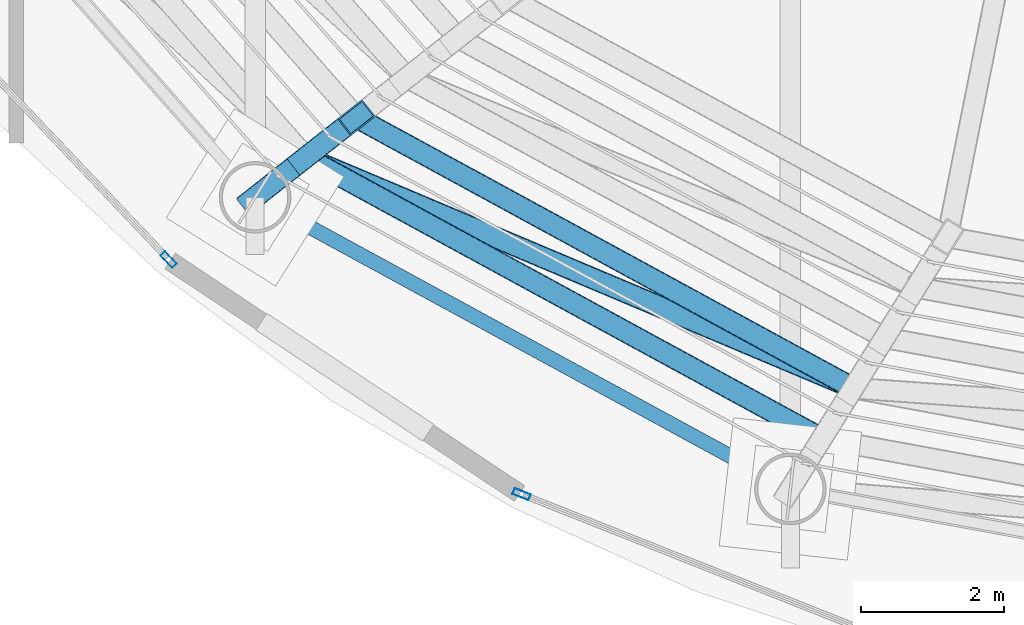
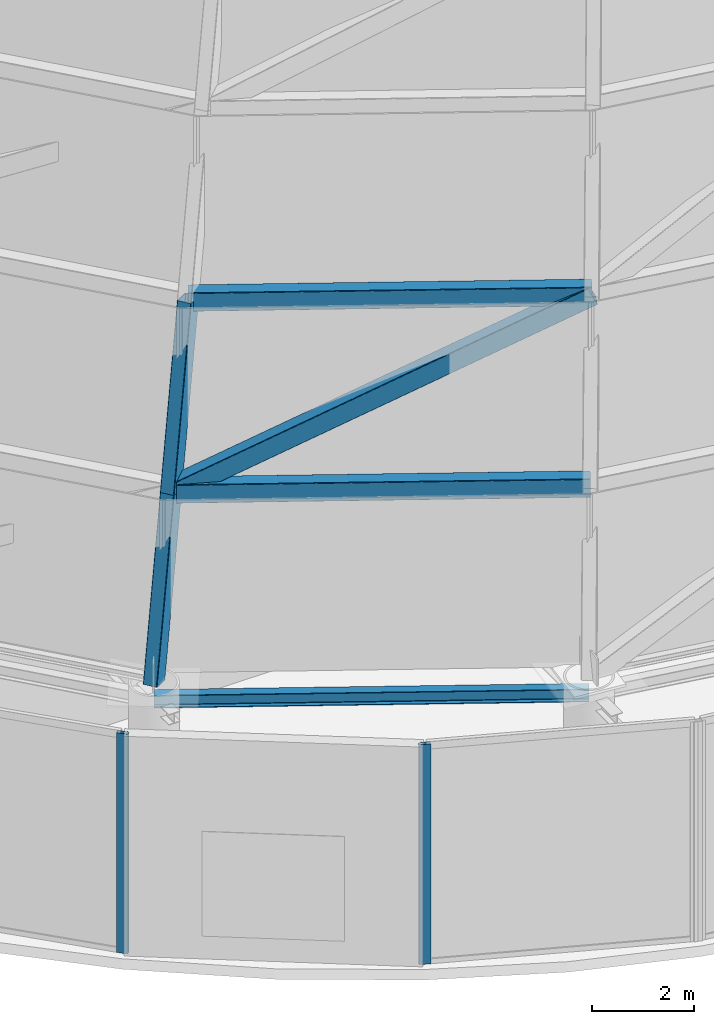
# One storey, part 3 of 40: 7 members, 1 beam, 2 elements without a shape of their own.
"""IFC4 building model written with IfcOpenShell, lengths in metres."""

from ifc_helpers import new_model, si_unit, direction, frame, origin, origin_2d, place, context, subcontext, project, spatial, hollow_rectangle, i_section, extrude, material, layer, layer_set, material_profile, profile_set, type_object, element, aggregate, save


model = new_model("IFC4")

# Units and contexts
model_context = context("Model", 3, precision=1e-05, world=origin(), true_north=direction((0.0, 1.0)))
body_context = subcontext(model_context, "Body", "Model", "MODEL_VIEW")
ifc_project = project(units=[si_unit("LENGTHUNIT", "METRE"), si_unit("AREAUNIT", "SQUARE_METRE"), si_unit("VOLUMEUNIT", "CUBIC_METRE"), si_unit("PLANEANGLEUNIT", "RADIAN"), si_unit("MASSUNIT", "GRAM", prefix="KILO")], contexts=[model_context])

# Site, building, storey
site_placement = place(None, origin())
site = spatial("IfcSite", under=ifc_project, at=site_placement, CompositionType="ELEMENT")
building_placement = place(site_placement, origin())
building = spatial("IfcBuilding", under=site, at=building_placement, Name="Bramvorn Convention Spire", CompositionType="ELEMENT")
storey_placement = place(building_placement, frame((0.0, 0.0, 312.5)))
storey = spatial("IfcBuildingStorey", under=building, at=storey_placement, Name="L79", CompositionType="ELEMENT", Elevation=312.5)

# Beam
ifc_material_1 = material(Name="Steel CSA G40.21 Grade 350 (350W)", Category="steel")
ifc_material_profile_1 = material_profile(ifc_material_1, i_section(OverallWidth=0.202880859375, OverallDepth=0.302978515625, WebThickness=0.007568359375, FlangeThickness=0.01318359375, FilletRadius=0.013916015625, at=origin_2d()))
ifc_profile_set_1 = profile_set([ifc_material_profile_1], Name="Steel CSA G40.21 Grade 350 (350W) - W310X60")
beam_type = type_object("IfcBeamType", Name="BM-W310X60", PredefinedType="JOIST", material=ifc_profile_set_1)
beam_placement = place(storey_placement, frame((28.337646484375, 10.523193359375, 5.098388671875), z_axis=(0.878133224771, -0.478416178189, 0.0), x_axis=(0.478416178189, 0.878133224771, 0.0)))
element("IfcBeam", 1, at=beam_placement, inside=storey, type_object=beam_type, Name="L79 mega-column ring beam 14", PredefinedType="JOIST", context=body_context, shape_type="SweptSolid", body=[
    extrude(i_section(OverallWidth=0.202880859375, OverallDepth=0.302978515625, WebThickness=0.007568359375, FlangeThickness=0.01318359375, FilletRadius=0.013916015625, at=origin_2d()), origin(), (0.0, 0.0, 1.0), 8.515625),
])

# Curtain wall, member
ifc_material_2 = material(Name="Anodised Bronze Unitised Curtain Wall", Category="aluminium")
ifc_layer = layer(ifc_material_2, 0.199951171875)
ifc_layer_set = layer_set([ifc_layer], Name="Anodised Bronze Unitised Curtain Wall - CW-CROWN-SPIRE")
curtain_wall_type = type_object("IfcCurtainWallType", Name="CW-CROWN-SPIRE", PredefinedType="USERDEFINED", material=ifc_layer_set)
curtain_wall_1_placement = place(storey_placement, origin())
curtain_wall_1 = element("IfcCurtainWall", 2, at=curtain_wall_1_placement, inside=storey, type_object=curtain_wall_type, Name="L79 fritted glass curtain wall 20", ObjectType="UNITISED CURTAIN WALL", PredefinedType="USERDEFINED")
ifc_material_3 = material(Name="Anodised Bronze Aluminium 6063-T6", Category="aluminium")
ifc_material_profile_2 = material_profile(ifc_material_3, hollow_rectangle(XDim=0.090087890625, YDim=0.239990234375, WallThickness=0.00439453125, InnerFilletRadius=0.0009765625, OuterFilletRadius=0.00439453125, at=origin_2d()))
ifc_profile_set_2 = profile_set([ifc_material_profile_2], Name="Anodised Bronze Aluminium 6063-T6 - CWM90X240")
member_type_1 = type_object("IfcMemberType", Name="CW-MUL-220", PredefinedType="MULLION", material=ifc_profile_set_2)
member_1_placement = place(storey_placement, frame((27.130615234375, 9.654296875, 0.0), z_axis=(0.0, 0.0, 1.0), x_axis=(-0.725223130248, -0.688513915149, 0.0)))
member_1 = element("IfcMember", 3, at=member_1_placement, type_object=member_type_1, Name="CW6 mullion 1", PredefinedType="MULLION", context=body_context, shape_type="SweptSolid", body=[
    extrude(hollow_rectangle(XDim=0.090087890625, YDim=0.239990234375, WallThickness=0.00439453125, InnerFilletRadius=0.0009765625, OuterFilletRadius=0.00439453125, at=origin_2d()), origin(), (0.0, 0.0, 1.0), 5.25),
])
aggregate(curtain_wall_1, [member_1])

curtain_wall_2_placement = place(storey_placement, origin())
curtain_wall_2 = element("IfcCurtainWall", 4, at=curtain_wall_2_placement, inside=storey, type_object=curtain_wall_type, Name="L79 fritted glass curtain wall 22", ObjectType="UNITISED CURTAIN WALL", PredefinedType="USERDEFINED")
member_2_placement = place(storey_placement, frame((32.059814453125, 6.374755859375, 0.0), z_axis=(0.0, 0.0, 1.0), x_axis=(-0.368739906217, -0.929532614577, 0.0)))
member_2 = element("IfcMember", 5, at=member_2_placement, type_object=member_type_1, Name="CW6 mullion 2", PredefinedType="MULLION", context=body_context, shape_type="SweptSolid", body=[
    extrude(hollow_rectangle(XDim=0.090087890625, YDim=0.239990234375, WallThickness=0.00439453125, InnerFilletRadius=0.0009765625, OuterFilletRadius=0.00439453125, at=origin_2d()), origin(), (0.0, 0.0, 1.0), 5.25),
])
aggregate(curtain_wall_2, [member_2])

# Members
ifc_material_profile_3 = material_profile(ifc_material_1, hollow_rectangle(XDim=0.300048828125, YDim=0.449951171875, WallThickness=0.02001953125, InnerFilletRadius=0.00390625, OuterFilletRadius=0.02392578125, at=origin_2d()))
ifc_profile_set_3 = profile_set([ifc_material_profile_3], Name="Steel CSA G40.21 Grade 350 (350W) - CROWN450X300X20")
member_type_2 = type_object("IfcMemberType", Name="MBR-CROWN450X300X20", PredefinedType="USERDEFINED", material=ifc_profile_set_3)
member_3_placement = place(storey_placement, frame((28.337646484375, 10.523193359375, 5.5), z_axis=(0.172618498109, 0.135879756014, 0.975571394628), x_axis=(-0.618527562059, 0.785763103597, 0.0)))
element("IfcMember", 6, at=member_3_placement, inside=storey, type_object=member_type_2, Name="Crown spire CROWN FRAME rib T1-14", ObjectType="CROWN FRAME", PredefinedType="USERDEFINED", context=body_context, shape_type="SweptSolid", body=[
    extrude(hollow_rectangle(XDim=0.300048828125, YDim=0.449951171875, WallThickness=0.02001953125, InnerFilletRadius=0.00390625, OuterFilletRadius=0.02392578125, at=origin_2d()), origin(), (0.0, 0.0, 1.0), 4.10009765625),
])
member_4_placement = place(storey_placement, frame((29.04541015625, 11.080322265625, 9.5), z_axis=(0.87814095684, -0.478401985699, 0.0), x_axis=(0.478401985699, 0.87814095684, 0.0)))
element("IfcMember", 7, at=member_4_placement, inside=storey, type_object=member_type_2, Name="Crown spire CROWN FRAME ring beam T1-14", ObjectType="CROWN FRAME", PredefinedType="USERDEFINED", context=body_context, shape_type="SweptSolid", body=[
    extrude(hollow_rectangle(XDim=0.300048828125, YDim=0.449951171875, WallThickness=0.02001953125, InnerFilletRadius=0.00390625, OuterFilletRadius=0.02392578125, at=origin_2d()), origin(), (0.0, 0.0, 1.0), 8.208984375),
])
member_5_placement = place(storey_placement, frame((29.04541015625, 11.080322265625, 9.5), z_axis=(0.172676267125, 0.135878359166, 0.975561365718), x_axis=(-0.618395848567, 0.785866766364, 0.0)))
element("IfcMember", 8, at=member_5_placement, inside=storey, type_object=member_type_2, Name="Crown spire CROWN FRAME rib T2-14", ObjectType="CROWN FRAME", PredefinedType="USERDEFINED", context=body_context, shape_type="SweptSolid", body=[
    extrude(hollow_rectangle(XDim=0.300048828125, YDim=0.449951171875, WallThickness=0.02001953125, InnerFilletRadius=0.00390625, OuterFilletRadius=0.02392578125, at=origin_2d()), origin(), (0.0, 0.0, 1.0), 4.10009765625),
])
member_6_placement = place(storey_placement, frame((29.75341796875, 11.637451171875, 13.5), z_axis=(0.878142217933, -0.478399670866, 0.0), x_axis=(0.478399670866, 0.878142217933, 0.0)))
element("IfcMember", 9, at=member_6_placement, inside=storey, type_object=member_type_2, Name="Crown spire CROWN FRAME ring beam T2-14", ObjectType="CROWN FRAME", PredefinedType="USERDEFINED", context=body_context, shape_type="SweptSolid", body=[
    extrude(hollow_rectangle(XDim=0.300048828125, YDim=0.449951171875, WallThickness=0.02001953125, InnerFilletRadius=0.00390625, OuterFilletRadius=0.02392578125, at=origin_2d()), origin(), (0.0, 0.0, 1.0), 7.90234375),
])
member_7_placement = place(storey_placement, frame((29.04541015625, 11.080322265625, 9.5), z_axis=(0.830099600923, -0.34988523276, 0.434183113955), x_axis=(0.388405488761, 0.921488565474, 0.0)))
element("IfcMember", 10, at=member_7_placement, inside=storey, type_object=member_type_2, Name="Crown spire CROWN FRAME wind brace T2-14", ObjectType="CROWN FRAME", PredefinedType="USERDEFINED", context=body_context, shape_type="SweptSolid", body=[
    extrude(hollow_rectangle(XDim=0.300048828125, YDim=0.449951171875, WallThickness=0.02001953125, InnerFilletRadius=0.00390625, OuterFilletRadius=0.02392578125, at=origin_2d()), origin(), (0.0, 0.0, 1.0), 9.212646484375),
])

save(model, "model.ifc")
